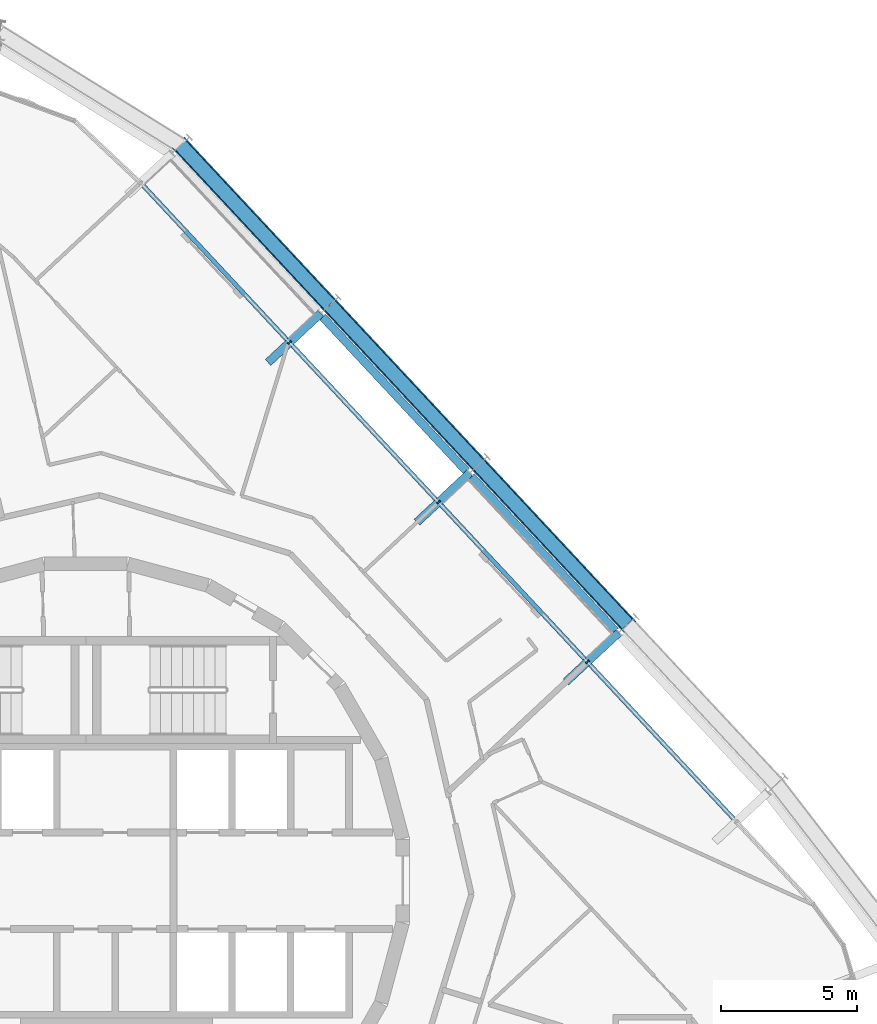
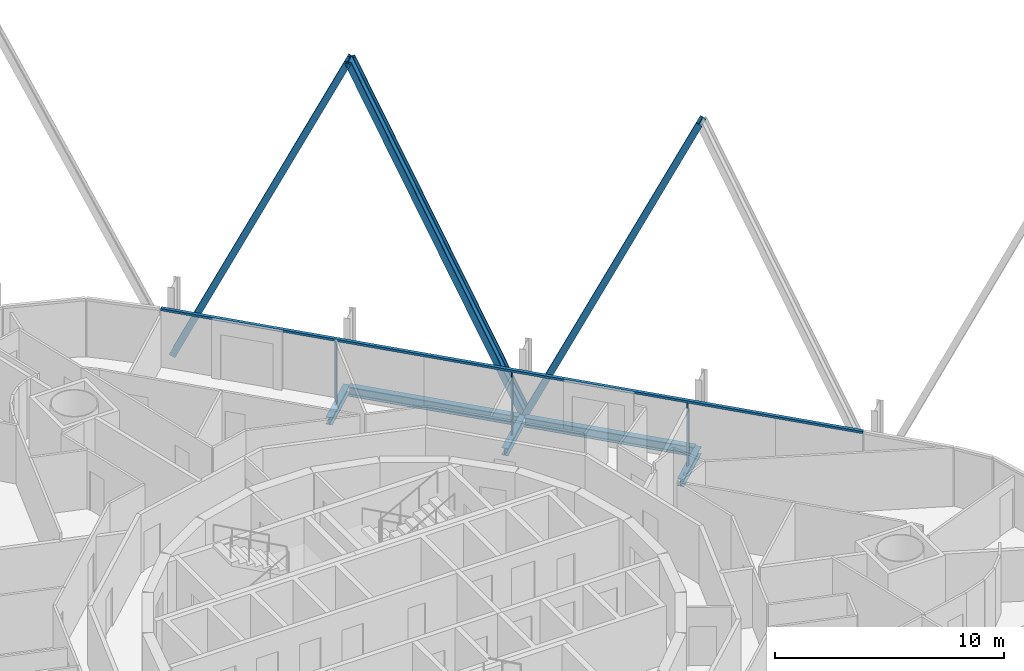
# One storey, part 9 of 18: 7 members, 5 beams, 1 element without a shape of its own.
"""IFC4 building model written with IfcOpenShell, lengths in metres."""

from ifc_helpers import new_model, si_unit, direction, frame, origin, origin_2d, place, context, subcontext, project, spatial, rectangle, i_section, extrude, material, layer, layer_set, material_profile, profile_set, type_object, element, aggregate, save


model = new_model("IFC4")

# Units and contexts
model_context = context("Model", 3, precision=1e-05, world=origin(), true_north=direction((0.0, 1.0)))
body_context = subcontext(model_context, "Body", "Model", "MODEL_VIEW")
ifc_project = project(units=[si_unit("LENGTHUNIT", "METRE"), si_unit("AREAUNIT", "SQUARE_METRE"), si_unit("VOLUMEUNIT", "CUBIC_METRE"), si_unit("PLANEANGLEUNIT", "RADIAN"), si_unit("MASSUNIT", "GRAM", prefix="KILO")], contexts=[model_context])

# Site, building, storey
site_placement = place(None, origin())
site = spatial("IfcSite", under=ifc_project, at=site_placement, CompositionType="ELEMENT")
building_placement = place(site_placement, origin())
building = spatial("IfcBuilding", under=site, at=building_placement, Name="Spindle Arch Residences", CompositionType="ELEMENT")
storey_placement = place(building_placement, frame((0.0, 0.0, 127.39990234375)))
storey = spatial("IfcBuildingStorey", under=building, at=storey_placement, Name="L31", CompositionType="ELEMENT", Elevation=127.39990234375)

# Curtain wall, members
ifc_material_1 = material(Name="Aluminium bronze unitised frame with tinted glass", Category="aluminium")
ifc_layer = layer(ifc_material_1, 0.159912109375)
ifc_layer_set = layer_set([ifc_layer], Name="CW-C typical residential unitised wall")
curtain_wall_type = type_object("IfcCurtainWallType", Name="CW-C typical residential unitised wall", PredefinedType="NOTDEFINED", material=ifc_layer_set)
curtain_wall_placement = place(storey_placement, origin())
curtain_wall = element("IfcCurtainWall", 1, at=curtain_wall_placement, inside=storey, type_object=curtain_wall_type, Name="CW-C L31 run 2", PredefinedType="NOTDEFINED")
ifc_material_2 = material(Name="Aluminium bronze anodised mullion", Category="aluminium")
ifc_material_profile_1 = material_profile(ifc_material_2, rectangle(XDim=0.159912109375, YDim=0.06005859375, at=origin_2d()), Name="MU 60x160")
ifc_profile_set_1 = profile_set([ifc_material_profile_1], Name="Aluminium bronze anodised mullion")
member_type_1 = type_object("IfcMemberType", Name="Bronze mullion 60x160", PredefinedType="MULLION", material=ifc_profile_set_1)
member_1_placement = place(storey_placement, frame((18.437744140625, 8.044677734375, -0.3798828125), z_axis=(0.0, 0.0, 1.0), x_axis=(-0.731353701619, -0.681998360062, 0.0)))
member_1 = element("IfcMember", 2, at=member_1_placement, type_object=member_type_1, Name="CW-C mullion 06", PredefinedType="MULLION", context=body_context, shape_type="SweptSolid", body=[
    extrude(rectangle(XDim=0.159912109375, YDim=0.06005859375, at=origin_2d()), origin(), (0.0, 0.0, 1.0), 3.3798828125),
])
member_2_placement = place(storey_placement, frame((12.961669921875, 13.916748046875, -0.3798828125), z_axis=(0.0, 0.0, 1.0), x_axis=(-0.731353701619, -0.681998360062, 0.0)))
member_2 = element("IfcMember", 3, at=member_2_placement, type_object=member_type_1, Name="CW-C mullion 07", PredefinedType="MULLION", context=body_context, shape_type="SweptSolid", body=[
    extrude(rectangle(XDim=0.159912109375, YDim=0.06005859375, at=origin_2d()), origin(), (0.0, 0.0, 1.0), 3.3798828125),
])
member_3_placement = place(storey_placement, frame((7.48583984375, 19.7890625, -0.3798828125), z_axis=(0.0, 0.0, 1.0), x_axis=(-0.731353701619, -0.681998360062, 0.0)))
member_3 = element("IfcMember", 4, at=member_3_placement, type_object=member_type_1, Name="CW-C mullion 08", PredefinedType="MULLION", context=body_context, shape_type="SweptSolid", body=[
    extrude(rectangle(XDim=0.159912109375, YDim=0.06005859375, at=origin_2d()), origin(), (0.0, 0.0, 1.0), 3.3798828125),
])
ifc_material_3 = material(Name="Aluminium bronze anodised transom", Category="aluminium")
ifc_material_profile_2 = material_profile(ifc_material_3, rectangle(XDim=0.159912109375, YDim=0.1201171875, at=origin_2d()), Name="TR 120x160")
ifc_profile_set_2 = profile_set([ifc_material_profile_2], Name="Aluminium bronze anodised transom")
member_type_2 = type_object("IfcMemberType", Name="Bronze transom 120x160", PredefinedType="USERDEFINED", material=ifc_profile_set_2)
member_4_placement = place(storey_placement, frame((23.89306640625, 2.1943359375, 3.06005859375), z_axis=(-0.681996633995, 0.731355311199, 0.0), x_axis=(-0.731355311199, -0.681996633995, 0.0)))
member_4 = element("IfcMember", 5, at=member_4_placement, type_object=member_type_2, Name="CW-C transom 00", ObjectType="TRANSOM", PredefinedType="USERDEFINED", context=body_context, shape_type="SweptSolid", body=[
    extrude(rectangle(XDim=0.159912109375, YDim=0.1201171875, at=origin_2d()), origin(), (0.0, 0.0, 1.0), 32.056640625),
])
aggregate(curtain_wall, [member_4, member_1, member_2, member_3])

# Members
ifc_material_4 = material(Name="Steel S460ML, intumescent coating R 240", Category="steel")
ifc_material_profile_3 = material_profile(ifc_material_4, i_section(OverallWidth=0.304931640625, OverallDepth=0.6201171875, WebThickness=0.02099609375, FlangeThickness=0.0400390625, FilletRadius=0.027099609375, at=origin_2d()), Name="HEM 600")
ifc_profile_set_3 = profile_set([ifc_material_profile_3], Name="Steel S460ML, intumescent coating R 240")
member_type_3 = type_object("IfcMemberType", Name="Diagrid diagonal HEM 600", PredefinedType="BRACE", material=ifc_profile_set_3)
for number, where, z_axis, x_axis, name in (
    (6, (14.439208984375, 15.29443359375, -0.6298828125), (0.2874775499, -0.308279906826, 0.906818701478), (-0.618451037507, 0.66320319025, 0.421520868581), "Diagrid diagonal 3.2.7"),
    (7, (14.439208984375, 15.29443359375, -0.6298828125), (-0.287489307803, 0.308278770899, 0.906815360099), (0.618463506665, -0.663186993416, 0.421528056822), "Diagrid diagonal 3.2.8"),
    (8, (3.4873046875, 27.038818359375, -0.6298828125), (0.287476413975, -0.308291505879, 0.906815118318), (-0.618434840732, 0.663213394451, 0.421528576954), "Diagrid diagonal 3.2.9"),
):
    element("IfcMember", number, at=place(storey_placement, frame(where, z_axis=z_axis, x_axis=x_axis)), inside=storey, type_object=member_type_3, Name=name, PredefinedType="BRACE", context=body_context, shape_type="SweptSolid", body=[
        extrude(i_section(OverallWidth=0.304931640625, OverallDepth=0.6201171875, WebThickness=0.02099609375, FlangeThickness=0.0400390625, FilletRadius=0.027099609375, at=origin_2d()), origin(), (0.0, 0.0, 1.0), 19.0478515625),
    ])

# Beams
ifc_material_5 = material(Name="Steel S460ML, intumescent coating R 120", Category="steel")
ifc_material_profile_4 = material_profile(ifc_material_5, i_section(OverallWidth=0.300048828125, OverallDepth=0.5, WebThickness=0.014404296875, FlangeThickness=0.028076171875, FilletRadius=0.027099609375, at=origin_2d()), Name="HEB 500")
ifc_profile_set_4 = profile_set([ifc_material_profile_4], Name="Steel S460ML, intumescent coating R 120")
beam_type_1 = type_object("IfcBeamType", Name="Exoskeleton edge beam HEB 500", PredefinedType="BEAM", material=ifc_profile_set_4)
beam_1_placement = place(storey_placement, frame((19.468017578125, 9.18310546875, -0.6298828125), z_axis=(-0.681992374481, 0.731359283218, 0.0), x_axis=(-0.731359283218, -0.681992374481, 0.0)))
element("IfcBeam", 9, at=beam_1_placement, inside=storey, type_object=beam_type_1, Name="Exoskeleton edge beam 7", PredefinedType="BEAM", context=body_context, shape_type="SweptSolid", body=[
    extrude(i_section(OverallWidth=0.300048828125, OverallDepth=0.5, WebThickness=0.014404296875, FlangeThickness=0.028076171875, FilletRadius=0.027099609375, at=origin_2d()), origin(), (0.0, 0.0, 1.0), 7.769287109375),
])
beam_2_placement = place(storey_placement, frame((13.9921875, 15.055419921875, -0.6298828125), z_axis=(-0.682008048331, 0.731344667042, 0.0), x_axis=(-0.731344667042, -0.682008048331, 0.0)))
element("IfcBeam", 10, at=beam_2_placement, inside=storey, type_object=beam_type_1, Name="Exoskeleton edge beam 8", PredefinedType="BEAM", context=body_context, shape_type="SweptSolid", body=[
    extrude(i_section(OverallWidth=0.300048828125, OverallDepth=0.5, WebThickness=0.014404296875, FlangeThickness=0.028076171875, FilletRadius=0.027099609375, at=origin_2d()), origin(), (0.0, 0.0, 1.0), 7.76904296875),
])
ifc_material_6 = material(Name="Steel S460ML, intumescent coating R 120", Category="steel")
ifc_material_profile_5 = material_profile(ifc_material_6, i_section(OverallWidth=0.300048828125, OverallDepth=0.389892578125, WebThickness=0.010986328125, FlangeThickness=0.01904296875, FilletRadius=0.027099609375, at=origin_2d()), Name="HEA 400")
ifc_profile_set_5 = profile_set([ifc_material_profile_5], Name="Steel S460ML, intumescent coating R 120")
beam_type_2 = type_object("IfcBeamType", Name="Floor outrigger HEA 400", PredefinedType="BEAM", material=ifc_profile_set_5)
beam_3_placement = place(storey_placement, frame((19.5859375, 9.115478515625, -0.574951171875), z_axis=(-0.731364603864, -0.681986668649, 0.0), x_axis=(0.681986668649, -0.731364603864, 0.0)))
element("IfcBeam", 11, at=beam_3_placement, inside=storey, type_object=beam_type_2, Name="Floor outrigger 7", PredefinedType="BEAM", context=body_context, shape_type="SweptSolid", body=[
    extrude(i_section(OverallWidth=0.300048828125, OverallDepth=0.389892578125, WebThickness=0.010986328125, FlangeThickness=0.01904296875, FilletRadius=0.027099609375, at=origin_2d()), origin(), (0.0, 0.0, 1.0), 2.650146484375),
])
for number, where, z_axis, x_axis, name in (
    (12, (14.110107421875, 14.987548828125, -0.574951171875), (-0.731410554291, -0.681937387941, 0.0), (0.681937387941, -0.731410554291, 0.0), "Floor outrigger 8"),
    (13, (8.634033203125, 20.859619140625, -0.574951171875), (-0.731367706511, -0.681983341345, 0.0), (0.681983341345, -0.731367706511, 0.0), "Floor outrigger 9"),
):
    element("IfcBeam", number, at=place(storey_placement, frame(where, z_axis=z_axis, x_axis=x_axis)), inside=storey, type_object=beam_type_2, Name=name, PredefinedType="BEAM", context=body_context, shape_type="SweptSolid", body=[
        extrude(i_section(OverallWidth=0.300048828125, OverallDepth=0.389892578125, WebThickness=0.010986328125, FlangeThickness=0.01904296875, FilletRadius=0.027099609375, at=origin_2d()), origin(), (0.0, 0.0, 1.0), 2.64990234375),
    ])

save(model, "model.ifc")
